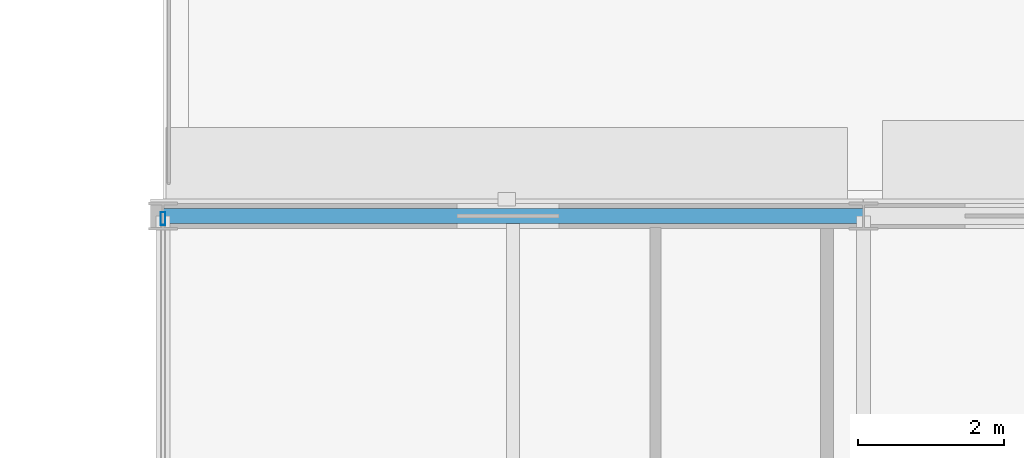
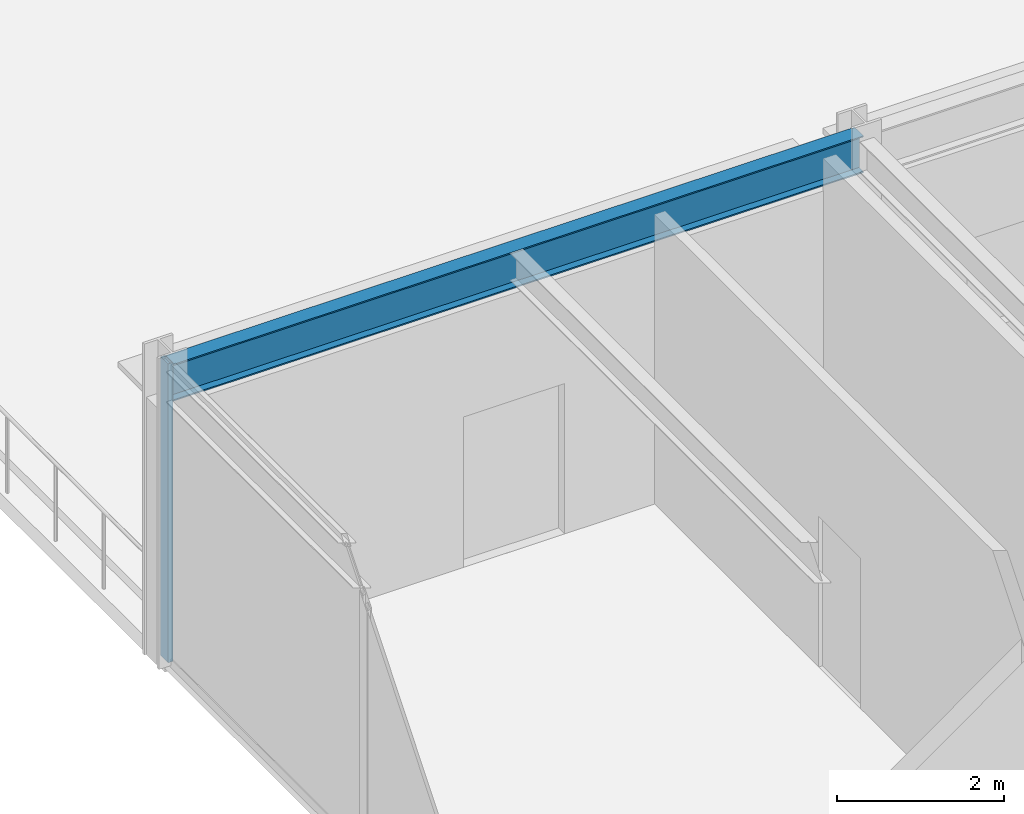
# One storey, part 109 of 157: 1 beam, 1 member, 1 element without a shape of its own.
"""IFC4 building model written with IfcOpenShell, lengths in metres."""

from ifc_helpers import new_model, si_unit, direction, frame, origin, origin_2d, place, context, subcontext, project, spatial, hollow_rectangle, i_section, extrude, material, material_profile, profile_set, type_object, element, aggregate, save


model = new_model("IFC4")

# Units and contexts
model_context = context("Model", 3, precision=1e-05, world=origin(), true_north=direction((0.0, 1.0)))
body_context = subcontext(model_context, "Body", "Model", "MODEL_VIEW")
ifc_project = project(units=[si_unit("LENGTHUNIT", "METRE"), si_unit("AREAUNIT", "SQUARE_METRE"), si_unit("VOLUMEUNIT", "CUBIC_METRE"), si_unit("PLANEANGLEUNIT", "RADIAN"), si_unit("MASSUNIT", "GRAM", prefix="KILO")], contexts=[model_context])

# Site, building, storey
site_placement = place(None, origin())
site = spatial("IfcSite", under=ifc_project, at=site_placement, CompositionType="ELEMENT")
building_placement = place(site_placement, origin())
building = spatial("IfcBuilding", under=site, at=building_placement, Name="Almandine Court Research Institute", CompositionType="ELEMENT")
storey_placement = place(building_placement, frame((0.0, 0.0, 5.25)))
storey = spatial("IfcBuildingStorey", under=building, at=storey_placement, Name="L01", CompositionType="ELEMENT", Elevation=5.25)

# Beam
ifc_material_1 = material(Name="Steel ASTM A992 Grade 50", Category="steel")
ifc_material_profile_1 = material_profile(ifc_material_1, i_section(OverallWidth=0.2109375, OverallDepth=0.5390625, WebThickness=0.011962890625, FlangeThickness=0.01904296875, at=origin_2d()), Name="W530x109")
ifc_profile_set_1 = profile_set([ifc_material_profile_1], Name="Steel ASTM A992 Grade 50")
beam_type = type_object("IfcBeamType", Name="Beam-G-04", PredefinedType="BEAM", material=ifc_profile_set_1)
beam_placement = place(storey_placement, frame((153.60009765625, 103.199951171875, 4.052978515625), z_axis=(1.0, 0.0, 0.0), x_axis=(0.0, 1.0, 0.0)))
element("IfcBeam", 1, at=beam_placement, inside=storey, type_object=beam_type, Name="L01 V4 Primary X Girder", PredefinedType="BEAM", context=body_context, shape_type="SweptSolid", body=[
    extrude(i_section(OverallWidth=0.2109375, OverallDepth=0.5390625, WebThickness=0.011962890625, FlangeThickness=0.01904296875, at=origin_2d()), origin(), (0.0, 0.0, 1.0), 9.599853515625),
])

# Curtain wall, member
ifc_material_2 = material(Name="Unitised Curtain Wall Framing and Solar Glazing", Category="glass")
curtain_wall_type = type_object("IfcCurtainWallType", Name="CW-CWJ-02", PredefinedType="USERDEFINED", material=ifc_material_2)
curtain_wall_placement = place(storey_placement, origin())
curtain_wall = element("IfcCurtainWall", 2, at=curtain_wall_placement, inside=storey, type_object=curtain_wall_type, Name="L01 Wet Lab West Courtyard Jali Curtain Wall 9", ObjectType="SOLAR JALI SCREEN", PredefinedType="USERDEFINED")
ifc_material_3 = material(Name="Anodised Aluminium AW-6063-T6", Category="aluminium")
ifc_material_profile_2 = material_profile(ifc_material_3, hollow_rectangle(XDim=0.06494140625, YDim=0.179931640625, WallThickness=0.00390625, at=origin_2d()), Name="ALU RHS 65x180x4")
ifc_profile_set_2 = profile_set([ifc_material_profile_2], Name="Anodised Aluminium AW-6063-T6")
member_type = type_object("IfcMemberType", Name="CWMul-65x180", PredefinedType="MULLION", material=ifc_profile_set_2)
member_placement = place(storey_placement, frame((153.60009765625, 103.16357421875, 0.0), z_axis=(0.0, 0.0, 1.0), x_axis=(-1.0, 0.0, 0.0)))
member = element("IfcMember", 3, at=member_placement, type_object=member_type, Name="CWJ-02 mullion 3", PredefinedType="MULLION", context=body_context, shape_type="SweptSolid", body=[
    extrude(hollow_rectangle(XDim=0.06494140625, YDim=0.179931640625, WallThickness=0.00390625, at=origin_2d()), origin(), (0.0, 0.0, 1.0), 4.3701171875),
])
aggregate(curtain_wall, [member])

save(model, "model.ifc")
